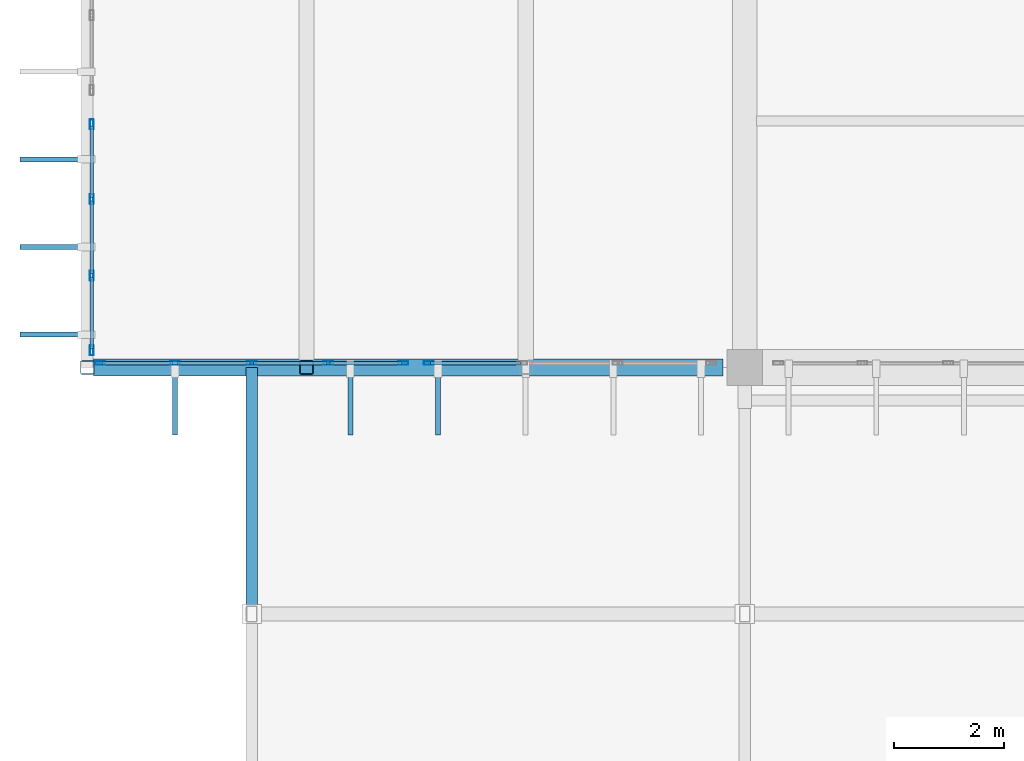
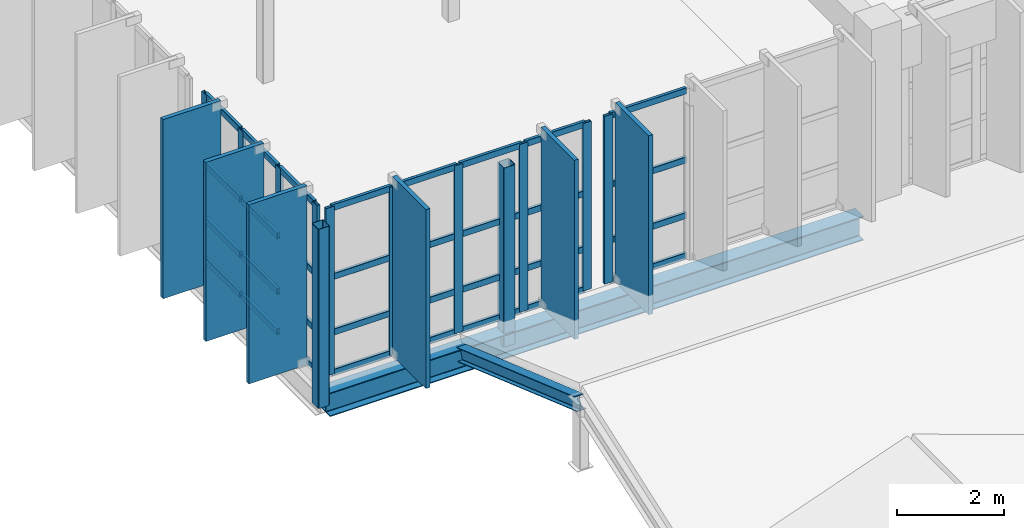
# One storey, part 14 of 80: 51 members, 1 beam, 3 elements without a shape of their own.
"""IFC4 building model written with IfcOpenShell, lengths in metres."""

from ifc_helpers import new_model, si_unit, direction, frame, origin, origin_2d, place, context, subcontext, project, spatial, rectangle, hollow_rectangle, i_section, extrude, material, material_profile, profile_set, type_object, element, aggregate, save


model = new_model("IFC4")

# Units and contexts
model_context = context("Model", 3, precision=1e-05, world=origin(), true_north=direction((0.0, 1.0)))
body_context = subcontext(model_context, "Body", "Model", "MODEL_VIEW")
ifc_project = project(units=[si_unit("LENGTHUNIT", "METRE"), si_unit("AREAUNIT", "SQUARE_METRE"), si_unit("VOLUMEUNIT", "CUBIC_METRE"), si_unit("PLANEANGLEUNIT", "RADIAN"), si_unit("MASSUNIT", "GRAM", prefix="KILO")], contexts=[model_context])

# Site, building, storey
site_placement = place(None, origin())
site = spatial("IfcSite", under=ifc_project, at=site_placement, CompositionType="ELEMENT")
building_placement = place(site_placement, origin())
building = spatial("IfcBuilding", under=site, at=building_placement, Name="Miravela Opera House", CompositionType="ELEMENT")
storey_placement = place(building_placement, frame((0.0, 0.0, 17.679931640625)))
storey = spatial("IfcBuildingStorey", under=building, at=storey_placement, Name="L04", CompositionType="ELEMENT", Elevation=17.679931640625)

# Curtain wall, members
ifc_material_1 = material(Name="Anodised architectural bronze aluminium 6063-T6", Category="aluminium")
curtain_wall_type = type_object("IfcCurtainWallType", Name="ARC-CW-02", PredefinedType="NOTDEFINED", material=ifc_material_1)
curtain_wall_1_placement = place(storey_placement, origin())
curtain_wall_1 = element("IfcCurtainWall", 1, at=curtain_wall_1_placement, inside=storey, type_object=curtain_wall_type, Name="Cantilever West Wrapper Glazing B1 CW-L04-027", PredefinedType="NOTDEFINED")
ifc_material_profile_1 = material_profile(ifc_material_1, hollow_rectangle(XDim=0.06494140625, YDim=0.179931640625, WallThickness=0.00390625, InnerFilletRadius=0.001953125, OuterFilletRadius=0.00390625, at=origin_2d()), Name="CWM-65X180")
ifc_profile_set_1 = profile_set([ifc_material_profile_1])
member_type_1 = type_object("IfcMemberType", Name="ARC-CWM-180", PredefinedType="MULLION", material=ifc_profile_set_1)
member_1_placement = place(storey_placement, frame((15.080078125, 37.3125, 0.0), z_axis=(0.0, 0.0, 1.0), x_axis=(-1.0, 0.0, 0.0)))
member_1 = element("IfcMember", 2, at=member_1_placement, type_object=member_type_1, Name="CW-02 mullion 1", PredefinedType="MULLION", context=body_context, shape_type="SweptSolid", body=[
    extrude(hollow_rectangle(XDim=0.06494140625, YDim=0.179931640625, WallThickness=0.00390625, InnerFilletRadius=0.001953125, OuterFilletRadius=0.00390625, at=origin_2d()), origin(), (0.0, 0.0, 1.0), 3.820068359375),
])
member_2_placement = place(storey_placement, frame((15.080078125, 38.6767578125, 0.0), z_axis=(0.0, 0.0, 1.0), x_axis=(-1.0, 0.0, 0.0)))
member_2 = element("IfcMember", 3, at=member_2_placement, type_object=member_type_1, Name="CW-02 mullion 2", PredefinedType="MULLION", context=body_context, shape_type="SweptSolid", body=[
    extrude(hollow_rectangle(XDim=0.06494140625, YDim=0.179931640625, WallThickness=0.00390625, InnerFilletRadius=0.001953125, OuterFilletRadius=0.00390625, at=origin_2d()), origin(), (0.0, 0.0, 1.0), 3.820068359375),
])
member_3_placement = place(storey_placement, frame((15.080078125, 40.0732421875, 0.0), z_axis=(0.0, 0.0, 1.0), x_axis=(-1.0, 0.0, 0.0)))
member_3 = element("IfcMember", 4, at=member_3_placement, type_object=member_type_1, Name="CW-02 mullion 3", PredefinedType="MULLION", context=body_context, shape_type="SweptSolid", body=[
    extrude(hollow_rectangle(XDim=0.06494140625, YDim=0.179931640625, WallThickness=0.00390625, InnerFilletRadius=0.001953125, OuterFilletRadius=0.00390625, at=origin_2d()), origin(), (0.0, 0.0, 1.0), 3.820068359375),
])
member_4_placement = place(storey_placement, frame((15.080078125, 41.4375, 0.0), z_axis=(0.0, 0.0, 1.0), x_axis=(-1.0, 0.0, 0.0)))
member_4 = element("IfcMember", 5, at=member_4_placement, type_object=member_type_1, Name="CW-02 mullion 4", PredefinedType="MULLION", context=body_context, shape_type="SweptSolid", body=[
    extrude(hollow_rectangle(XDim=0.06494140625, YDim=0.179931640625, WallThickness=0.00390625, InnerFilletRadius=0.001953125, OuterFilletRadius=0.00390625, at=origin_2d()), origin(), (0.0, 0.0, 1.0), 3.820068359375),
])

curtain_wall_2_placement = place(storey_placement, origin())
curtain_wall_2 = element("IfcCurtainWall", 6, at=curtain_wall_2_placement, inside=storey, type_object=curtain_wall_type, Name="Auditorium South Wrapper Glazing CW-L04-036", PredefinedType="NOTDEFINED")
member_5_placement = place(storey_placement, frame((15.232421875, 37.080078125, 0.0), z_axis=(0.0, 0.0, 1.0), x_axis=(0.0, 1.0, 0.0)))
member_5 = element("IfcMember", 7, at=member_5_placement, type_object=member_type_1, Name="CW-02 mullion 1", PredefinedType="MULLION", context=body_context, shape_type="SweptSolid", body=[
    extrude(hollow_rectangle(XDim=0.06494140625, YDim=0.179931640625, WallThickness=0.00390625, InnerFilletRadius=0.001953125, OuterFilletRadius=0.00390625, at=origin_2d()), origin(), (0.0, 0.0, 1.0), 3.820068359375),
])
member_6_placement = place(storey_placement, frame((16.60009765625, 37.080078125, 0.0), z_axis=(0.0, 0.0, 1.0), x_axis=(0.0, 1.0, 0.0)))
member_6 = element("IfcMember", 8, at=member_6_placement, type_object=member_type_1, Name="CW-02 mullion 2", PredefinedType="MULLION", context=body_context, shape_type="SweptSolid", body=[
    extrude(hollow_rectangle(XDim=0.06494140625, YDim=0.179931640625, WallThickness=0.00390625, InnerFilletRadius=0.001953125, OuterFilletRadius=0.00390625, at=origin_2d()), origin(), (0.0, 0.0, 1.0), 3.820068359375),
])
member_7_placement = place(storey_placement, frame((18.0, 37.080078125, 0.0), z_axis=(0.0, 0.0, 1.0), x_axis=(0.0, 1.0, 0.0)))
member_7 = element("IfcMember", 9, at=member_7_placement, type_object=member_type_1, Name="CW-02 mullion 3", PredefinedType="MULLION", context=body_context, shape_type="SweptSolid", body=[
    extrude(hollow_rectangle(XDim=0.06494140625, YDim=0.179931640625, WallThickness=0.00390625, InnerFilletRadius=0.001953125, OuterFilletRadius=0.00390625, at=origin_2d()), origin(), (0.0, 0.0, 1.0), 3.820068359375),
])
member_8_placement = place(storey_placement, frame((19.39990234375, 37.080078125, 0.0), z_axis=(0.0, 0.0, 1.0), x_axis=(0.0, 1.0, 0.0)))
member_8 = element("IfcMember", 10, at=member_8_placement, type_object=member_type_1, Name="CW-02 mullion 4", PredefinedType="MULLION", context=body_context, shape_type="SweptSolid", body=[
    extrude(hollow_rectangle(XDim=0.06494140625, YDim=0.179931640625, WallThickness=0.00390625, InnerFilletRadius=0.001953125, OuterFilletRadius=0.00390625, at=origin_2d()), origin(), (0.0, 0.0, 1.0), 3.820068359375),
])
member_9_placement = place(storey_placement, frame((20.767578125, 37.080078125, 0.0), z_axis=(0.0, 0.0, 1.0), x_axis=(0.0, 1.0, 0.0)))
member_9 = element("IfcMember", 11, at=member_9_placement, type_object=member_type_1, Name="CW-02 mullion 5", PredefinedType="MULLION", context=body_context, shape_type="SweptSolid", body=[
    extrude(hollow_rectangle(XDim=0.06494140625, YDim=0.179931640625, WallThickness=0.00390625, InnerFilletRadius=0.001953125, OuterFilletRadius=0.00390625, at=origin_2d()), origin(), (0.0, 0.0, 1.0), 3.820068359375),
])

# Curtain wall, member
curtain_wall_3_placement = place(storey_placement, origin())
curtain_wall_3 = element("IfcCurtainWall", 12, at=curtain_wall_3_placement, inside=storey, type_object=curtain_wall_type, Name="Auditorium South Wrapper Glazing CW-L04-038", PredefinedType="NOTDEFINED")
member_10_placement = place(storey_placement, frame((21.232421875, 37.080078125, 0.0), z_axis=(0.0, 0.0, 1.0), x_axis=(0.0, 1.0, 0.0)))
member_10 = element("IfcMember", 13, at=member_10_placement, type_object=member_type_1, Name="CW-02 mullion 1", PredefinedType="MULLION", context=body_context, shape_type="SweptSolid", body=[
    extrude(hollow_rectangle(XDim=0.06494140625, YDim=0.179931640625, WallThickness=0.00390625, InnerFilletRadius=0.001953125, OuterFilletRadius=0.00390625, at=origin_2d()), origin(), (0.0, 0.0, 1.0), 3.820068359375),
])

# Member
ifc_material_profile_2 = material_profile(ifc_material_1, hollow_rectangle(XDim=0.06494140625, YDim=0.139892578125, WallThickness=0.00390625, InnerFilletRadius=0.001953125, OuterFilletRadius=0.00390625, at=origin_2d()), Name="CWT-65X140")
ifc_profile_set_2 = profile_set([ifc_material_profile_2])
member_type_2 = type_object("IfcMemberType", Name="ARC-CWT-140", PredefinedType="USERDEFINED", material=ifc_profile_set_2)
member_11_placement = place(storey_placement, frame((15.080078125, 37.344970703125, 0.032470703125), z_axis=(0.0, 1.0, 0.0), x_axis=(-1.0, 0.0, 0.0)))
member_11 = element("IfcMember", 14, at=member_11_placement, type_object=member_type_2, Name="CW-02 transom 1.1", ObjectType="TRANSOM", PredefinedType="USERDEFINED", context=body_context, shape_type="SweptSolid", body=[
    extrude(hollow_rectangle(XDim=0.06494140625, YDim=0.139892578125, WallThickness=0.00390625, InnerFilletRadius=0.001953125, OuterFilletRadius=0.00390625, at=origin_2d()), origin(), (0.0, 0.0, 1.0), 1.29931640625),
])

member_12_placement = place(storey_placement, frame((15.080078125, 37.344970703125, 0.949951171875), z_axis=(0.0, 1.0, 0.0), x_axis=(-1.0, 0.0, 0.0)))
member_12 = element("IfcMember", 15, at=member_12_placement, type_object=member_type_2, Name="CW-02 transom 1.2", ObjectType="TRANSOM", PredefinedType="USERDEFINED", context=body_context, shape_type="SweptSolid", body=[
    extrude(hollow_rectangle(XDim=0.06494140625, YDim=0.139892578125, WallThickness=0.00390625, InnerFilletRadius=0.001953125, OuterFilletRadius=0.00390625, at=origin_2d()), origin(), (0.0, 0.0, 1.0), 1.29931640625),
])

member_13_placement = place(storey_placement, frame((15.080078125, 37.344970703125, 2.215576171875), z_axis=(0.0, 1.0, 0.0), x_axis=(-1.0, 0.0, 0.0)))
member_13 = element("IfcMember", 16, at=member_13_placement, type_object=member_type_2, Name="CW-02 transom 1.3", ObjectType="TRANSOM", PredefinedType="USERDEFINED", context=body_context, shape_type="SweptSolid", body=[
    extrude(hollow_rectangle(XDim=0.06494140625, YDim=0.139892578125, WallThickness=0.00390625, InnerFilletRadius=0.001953125, OuterFilletRadius=0.00390625, at=origin_2d()), origin(), (0.0, 0.0, 1.0), 1.29931640625),
])

member_14_placement = place(storey_placement, frame((15.080078125, 37.344970703125, 3.78759765625), z_axis=(0.0, 1.0, 0.0), x_axis=(-1.0, 0.0, 0.0)))
member_14 = element("IfcMember", 17, at=member_14_placement, type_object=member_type_2, Name="CW-02 transom 1.4", ObjectType="TRANSOM", PredefinedType="USERDEFINED", context=body_context, shape_type="SweptSolid", body=[
    extrude(hollow_rectangle(XDim=0.06494140625, YDim=0.139892578125, WallThickness=0.00390625, InnerFilletRadius=0.001953125, OuterFilletRadius=0.00390625, at=origin_2d()), origin(), (0.0, 0.0, 1.0), 1.29931640625),
])

member_15_placement = place(storey_placement, frame((15.080078125, 38.709228515625, 0.032470703125), z_axis=(0.0, 1.0, 0.0), x_axis=(-1.0, 0.0, 0.0)))
member_15 = element("IfcMember", 18, at=member_15_placement, type_object=member_type_2, Name="CW-02 transom 2.1", ObjectType="TRANSOM", PredefinedType="USERDEFINED", context=body_context, shape_type="SweptSolid", body=[
    extrude(hollow_rectangle(XDim=0.06494140625, YDim=0.139892578125, WallThickness=0.00390625, InnerFilletRadius=0.001953125, OuterFilletRadius=0.00390625, at=origin_2d()), origin(), (0.0, 0.0, 1.0), 1.33154296875),
])

member_16_placement = place(storey_placement, frame((15.080078125, 38.709228515625, 0.949951171875), z_axis=(0.0, 1.0, 0.0), x_axis=(-1.0, 0.0, 0.0)))
member_16 = element("IfcMember", 19, at=member_16_placement, type_object=member_type_2, Name="CW-02 transom 2.2", ObjectType="TRANSOM", PredefinedType="USERDEFINED", context=body_context, shape_type="SweptSolid", body=[
    extrude(hollow_rectangle(XDim=0.06494140625, YDim=0.139892578125, WallThickness=0.00390625, InnerFilletRadius=0.001953125, OuterFilletRadius=0.00390625, at=origin_2d()), origin(), (0.0, 0.0, 1.0), 1.33154296875),
])

member_17_placement = place(storey_placement, frame((15.080078125, 38.709228515625, 2.215576171875), z_axis=(0.0, 1.0, 0.0), x_axis=(-1.0, 0.0, 0.0)))
member_17 = element("IfcMember", 20, at=member_17_placement, type_object=member_type_2, Name="CW-02 transom 2.3", ObjectType="TRANSOM", PredefinedType="USERDEFINED", context=body_context, shape_type="SweptSolid", body=[
    extrude(hollow_rectangle(XDim=0.06494140625, YDim=0.139892578125, WallThickness=0.00390625, InnerFilletRadius=0.001953125, OuterFilletRadius=0.00390625, at=origin_2d()), origin(), (0.0, 0.0, 1.0), 1.33154296875),
])

member_18_placement = place(storey_placement, frame((15.080078125, 38.709228515625, 3.78759765625), z_axis=(0.0, 1.0, 0.0), x_axis=(-1.0, 0.0, 0.0)))
member_18 = element("IfcMember", 21, at=member_18_placement, type_object=member_type_2, Name="CW-02 transom 2.4", ObjectType="TRANSOM", PredefinedType="USERDEFINED", context=body_context, shape_type="SweptSolid", body=[
    extrude(hollow_rectangle(XDim=0.06494140625, YDim=0.139892578125, WallThickness=0.00390625, InnerFilletRadius=0.001953125, OuterFilletRadius=0.00390625, at=origin_2d()), origin(), (0.0, 0.0, 1.0), 1.33154296875),
])

member_19_placement = place(storey_placement, frame((15.080078125, 40.105712890625, 0.032470703125), z_axis=(0.0, 1.0, 0.0), x_axis=(-1.0, 0.0, 0.0)))
member_19 = element("IfcMember", 22, at=member_19_placement, type_object=member_type_2, Name="CW-02 transom 3.1", ObjectType="TRANSOM", PredefinedType="USERDEFINED", context=body_context, shape_type="SweptSolid", body=[
    extrude(hollow_rectangle(XDim=0.06494140625, YDim=0.139892578125, WallThickness=0.00390625, InnerFilletRadius=0.001953125, OuterFilletRadius=0.00390625, at=origin_2d()), origin(), (0.0, 0.0, 1.0), 1.29931640625),
])

member_20_placement = place(storey_placement, frame((15.080078125, 40.105712890625, 0.949951171875), z_axis=(0.0, 1.0, 0.0), x_axis=(-1.0, 0.0, 0.0)))
member_20 = element("IfcMember", 23, at=member_20_placement, type_object=member_type_2, Name="CW-02 transom 3.2", ObjectType="TRANSOM", PredefinedType="USERDEFINED", context=body_context, shape_type="SweptSolid", body=[
    extrude(hollow_rectangle(XDim=0.06494140625, YDim=0.139892578125, WallThickness=0.00390625, InnerFilletRadius=0.001953125, OuterFilletRadius=0.00390625, at=origin_2d()), origin(), (0.0, 0.0, 1.0), 1.29931640625),
])

member_21_placement = place(storey_placement, frame((15.080078125, 40.105712890625, 2.215576171875), z_axis=(0.0, 1.0, 0.0), x_axis=(-1.0, 0.0, 0.0)))
member_21 = element("IfcMember", 24, at=member_21_placement, type_object=member_type_2, Name="CW-02 transom 3.3", ObjectType="TRANSOM", PredefinedType="USERDEFINED", context=body_context, shape_type="SweptSolid", body=[
    extrude(hollow_rectangle(XDim=0.06494140625, YDim=0.139892578125, WallThickness=0.00390625, InnerFilletRadius=0.001953125, OuterFilletRadius=0.00390625, at=origin_2d()), origin(), (0.0, 0.0, 1.0), 1.29931640625),
])

member_22_placement = place(storey_placement, frame((15.080078125, 40.105712890625, 3.78759765625), z_axis=(0.0, 1.0, 0.0), x_axis=(-1.0, 0.0, 0.0)))
member_22 = element("IfcMember", 25, at=member_22_placement, type_object=member_type_2, Name="CW-02 transom 3.4", ObjectType="TRANSOM", PredefinedType="USERDEFINED", context=body_context, shape_type="SweptSolid", body=[
    extrude(hollow_rectangle(XDim=0.06494140625, YDim=0.139892578125, WallThickness=0.00390625, InnerFilletRadius=0.001953125, OuterFilletRadius=0.00390625, at=origin_2d()), origin(), (0.0, 0.0, 1.0), 1.29931640625),
])

aggregate(curtain_wall_1, [member_1, member_2, member_3, member_4, member_11, member_12, member_13, member_14, member_15, member_16, member_17, member_18, member_19, member_20, member_21, member_22])

member_23_placement = place(storey_placement, frame((15.264892578125, 37.080078125, 0.032470703125), z_axis=(1.0, 0.0, 0.0), x_axis=(0.0, 1.0, 0.0)))
member_23 = element("IfcMember", 26, at=member_23_placement, type_object=member_type_2, Name="CW-02 transom 1.1", ObjectType="TRANSOM", PredefinedType="USERDEFINED", context=body_context, shape_type="SweptSolid", body=[
    extrude(hollow_rectangle(XDim=0.06494140625, YDim=0.139892578125, WallThickness=0.00390625, InnerFilletRadius=0.001953125, OuterFilletRadius=0.00390625, at=origin_2d()), origin(), (0.0, 0.0, 1.0), 1.302490234375),
])

member_24_placement = place(storey_placement, frame((15.264892578125, 37.080078125, 0.949951171875), z_axis=(1.0, 0.0, 0.0), x_axis=(0.0, 1.0, 0.0)))
member_24 = element("IfcMember", 27, at=member_24_placement, type_object=member_type_2, Name="CW-02 transom 1.2", ObjectType="TRANSOM", PredefinedType="USERDEFINED", context=body_context, shape_type="SweptSolid", body=[
    extrude(hollow_rectangle(XDim=0.06494140625, YDim=0.139892578125, WallThickness=0.00390625, InnerFilletRadius=0.001953125, OuterFilletRadius=0.00390625, at=origin_2d()), origin(), (0.0, 0.0, 1.0), 1.302490234375),
])

member_25_placement = place(storey_placement, frame((15.264892578125, 37.080078125, 2.215576171875), z_axis=(1.0, 0.0, 0.0), x_axis=(0.0, 1.0, 0.0)))
member_25 = element("IfcMember", 28, at=member_25_placement, type_object=member_type_2, Name="CW-02 transom 1.3", ObjectType="TRANSOM", PredefinedType="USERDEFINED", context=body_context, shape_type="SweptSolid", body=[
    extrude(hollow_rectangle(XDim=0.06494140625, YDim=0.139892578125, WallThickness=0.00390625, InnerFilletRadius=0.001953125, OuterFilletRadius=0.00390625, at=origin_2d()), origin(), (0.0, 0.0, 1.0), 1.302490234375),
])

member_26_placement = place(storey_placement, frame((15.264892578125, 37.080078125, 3.78759765625), z_axis=(1.0, 0.0, 0.0), x_axis=(0.0, 1.0, 0.0)))
member_26 = element("IfcMember", 29, at=member_26_placement, type_object=member_type_2, Name="CW-02 transom 1.4", ObjectType="TRANSOM", PredefinedType="USERDEFINED", context=body_context, shape_type="SweptSolid", body=[
    extrude(hollow_rectangle(XDim=0.06494140625, YDim=0.139892578125, WallThickness=0.00390625, InnerFilletRadius=0.001953125, OuterFilletRadius=0.00390625, at=origin_2d()), origin(), (0.0, 0.0, 1.0), 1.302490234375),
])

member_27_placement = place(storey_placement, frame((16.632568359375, 37.080078125, 0.032470703125), z_axis=(1.0, 0.0, 0.0), x_axis=(0.0, 1.0, 0.0)))
member_27 = element("IfcMember", 30, at=member_27_placement, type_object=member_type_2, Name="CW-02 transom 2.1", ObjectType="TRANSOM", PredefinedType="USERDEFINED", context=body_context, shape_type="SweptSolid", body=[
    extrude(hollow_rectangle(XDim=0.06494140625, YDim=0.139892578125, WallThickness=0.00390625, InnerFilletRadius=0.001953125, OuterFilletRadius=0.00390625, at=origin_2d()), origin(), (0.0, 0.0, 1.0), 1.3349609375),
])

member_28_placement = place(storey_placement, frame((16.632568359375, 37.080078125, 0.949951171875), z_axis=(1.0, 0.0, 0.0), x_axis=(0.0, 1.0, 0.0)))
member_28 = element("IfcMember", 31, at=member_28_placement, type_object=member_type_2, Name="CW-02 transom 2.2", ObjectType="TRANSOM", PredefinedType="USERDEFINED", context=body_context, shape_type="SweptSolid", body=[
    extrude(hollow_rectangle(XDim=0.06494140625, YDim=0.139892578125, WallThickness=0.00390625, InnerFilletRadius=0.001953125, OuterFilletRadius=0.00390625, at=origin_2d()), origin(), (0.0, 0.0, 1.0), 1.3349609375),
])

member_29_placement = place(storey_placement, frame((16.632568359375, 37.080078125, 2.215576171875), z_axis=(1.0, 0.0, 0.0), x_axis=(0.0, 1.0, 0.0)))
member_29 = element("IfcMember", 32, at=member_29_placement, type_object=member_type_2, Name="CW-02 transom 2.3", ObjectType="TRANSOM", PredefinedType="USERDEFINED", context=body_context, shape_type="SweptSolid", body=[
    extrude(hollow_rectangle(XDim=0.06494140625, YDim=0.139892578125, WallThickness=0.00390625, InnerFilletRadius=0.001953125, OuterFilletRadius=0.00390625, at=origin_2d()), origin(), (0.0, 0.0, 1.0), 1.3349609375),
])

member_30_placement = place(storey_placement, frame((16.632568359375, 37.080078125, 3.78759765625), z_axis=(1.0, 0.0, 0.0), x_axis=(0.0, 1.0, 0.0)))
member_30 = element("IfcMember", 33, at=member_30_placement, type_object=member_type_2, Name="CW-02 transom 2.4", ObjectType="TRANSOM", PredefinedType="USERDEFINED", context=body_context, shape_type="SweptSolid", body=[
    extrude(hollow_rectangle(XDim=0.06494140625, YDim=0.139892578125, WallThickness=0.00390625, InnerFilletRadius=0.001953125, OuterFilletRadius=0.00390625, at=origin_2d()), origin(), (0.0, 0.0, 1.0), 1.3349609375),
])

member_31_placement = place(storey_placement, frame((18.032470703125, 37.080078125, 0.032470703125), z_axis=(1.0, 0.0, 0.0), x_axis=(0.0, 1.0, 0.0)))
member_31 = element("IfcMember", 34, at=member_31_placement, type_object=member_type_2, Name="CW-02 transom 3.1", ObjectType="TRANSOM", PredefinedType="USERDEFINED", context=body_context, shape_type="SweptSolid", body=[
    extrude(hollow_rectangle(XDim=0.06494140625, YDim=0.139892578125, WallThickness=0.00390625, InnerFilletRadius=0.001953125, OuterFilletRadius=0.00390625, at=origin_2d()), origin(), (0.0, 0.0, 1.0), 1.3349609375),
])

member_32_placement = place(storey_placement, frame((18.032470703125, 37.080078125, 0.949951171875), z_axis=(1.0, 0.0, 0.0), x_axis=(0.0, 1.0, 0.0)))
member_32 = element("IfcMember", 35, at=member_32_placement, type_object=member_type_2, Name="CW-02 transom 3.2", ObjectType="TRANSOM", PredefinedType="USERDEFINED", context=body_context, shape_type="SweptSolid", body=[
    extrude(hollow_rectangle(XDim=0.06494140625, YDim=0.139892578125, WallThickness=0.00390625, InnerFilletRadius=0.001953125, OuterFilletRadius=0.00390625, at=origin_2d()), origin(), (0.0, 0.0, 1.0), 1.3349609375),
])

member_33_placement = place(storey_placement, frame((18.032470703125, 37.080078125, 2.215576171875), z_axis=(1.0, 0.0, 0.0), x_axis=(0.0, 1.0, 0.0)))
member_33 = element("IfcMember", 36, at=member_33_placement, type_object=member_type_2, Name="CW-02 transom 3.3", ObjectType="TRANSOM", PredefinedType="USERDEFINED", context=body_context, shape_type="SweptSolid", body=[
    extrude(hollow_rectangle(XDim=0.06494140625, YDim=0.139892578125, WallThickness=0.00390625, InnerFilletRadius=0.001953125, OuterFilletRadius=0.00390625, at=origin_2d()), origin(), (0.0, 0.0, 1.0), 1.3349609375),
])

member_34_placement = place(storey_placement, frame((18.032470703125, 37.080078125, 3.78759765625), z_axis=(1.0, 0.0, 0.0), x_axis=(0.0, 1.0, 0.0)))
member_34 = element("IfcMember", 37, at=member_34_placement, type_object=member_type_2, Name="CW-02 transom 3.4", ObjectType="TRANSOM", PredefinedType="USERDEFINED", context=body_context, shape_type="SweptSolid", body=[
    extrude(hollow_rectangle(XDim=0.06494140625, YDim=0.139892578125, WallThickness=0.00390625, InnerFilletRadius=0.001953125, OuterFilletRadius=0.00390625, at=origin_2d()), origin(), (0.0, 0.0, 1.0), 1.3349609375),
])

member_35_placement = place(storey_placement, frame((19.4326171875, 37.080078125, 0.032470703125), z_axis=(1.0, 0.0, 0.0), x_axis=(0.0, 1.0, 0.0)))
member_35 = element("IfcMember", 38, at=member_35_placement, type_object=member_type_2, Name="CW-02 transom 4.1", ObjectType="TRANSOM", PredefinedType="USERDEFINED", context=body_context, shape_type="SweptSolid", body=[
    extrude(hollow_rectangle(XDim=0.06494140625, YDim=0.139892578125, WallThickness=0.00390625, InnerFilletRadius=0.001953125, OuterFilletRadius=0.00390625, at=origin_2d()), origin(), (0.0, 0.0, 1.0), 1.302490234375),
])

member_36_placement = place(storey_placement, frame((19.4326171875, 37.080078125, 0.949951171875), z_axis=(1.0, 0.0, 0.0), x_axis=(0.0, 1.0, 0.0)))
member_36 = element("IfcMember", 39, at=member_36_placement, type_object=member_type_2, Name="CW-02 transom 4.2", ObjectType="TRANSOM", PredefinedType="USERDEFINED", context=body_context, shape_type="SweptSolid", body=[
    extrude(hollow_rectangle(XDim=0.06494140625, YDim=0.139892578125, WallThickness=0.00390625, InnerFilletRadius=0.001953125, OuterFilletRadius=0.00390625, at=origin_2d()), origin(), (0.0, 0.0, 1.0), 1.302490234375),
])

member_37_placement = place(storey_placement, frame((19.4326171875, 37.080078125, 2.215576171875), z_axis=(1.0, 0.0, 0.0), x_axis=(0.0, 1.0, 0.0)))
member_37 = element("IfcMember", 40, at=member_37_placement, type_object=member_type_2, Name="CW-02 transom 4.3", ObjectType="TRANSOM", PredefinedType="USERDEFINED", context=body_context, shape_type="SweptSolid", body=[
    extrude(hollow_rectangle(XDim=0.06494140625, YDim=0.139892578125, WallThickness=0.00390625, InnerFilletRadius=0.001953125, OuterFilletRadius=0.00390625, at=origin_2d()), origin(), (0.0, 0.0, 1.0), 1.302490234375),
])

member_38_placement = place(storey_placement, frame((19.4326171875, 37.080078125, 3.78759765625), z_axis=(1.0, 0.0, 0.0), x_axis=(0.0, 1.0, 0.0)))
member_38 = element("IfcMember", 41, at=member_38_placement, type_object=member_type_2, Name="CW-02 transom 4.4", ObjectType="TRANSOM", PredefinedType="USERDEFINED", context=body_context, shape_type="SweptSolid", body=[
    extrude(hollow_rectangle(XDim=0.06494140625, YDim=0.139892578125, WallThickness=0.00390625, InnerFilletRadius=0.001953125, OuterFilletRadius=0.00390625, at=origin_2d()), origin(), (0.0, 0.0, 1.0), 1.302490234375),
])

aggregate(curtain_wall_2, [member_5, member_6, member_7, member_8, member_9, member_23, member_24, member_25, member_26, member_27, member_28, member_29, member_30, member_31, member_32, member_33, member_34, member_35, member_36, member_37, member_38])

member_39_placement = place(storey_placement, frame((21.264892578125, 37.080078125, 0.032470703125), z_axis=(1.0, 0.0, 0.0), x_axis=(0.0, 1.0, 0.0)))
member_39 = element("IfcMember", 42, at=member_39_placement, type_object=member_type_2, Name="CW-02 transom 1.1", ObjectType="TRANSOM", PredefinedType="USERDEFINED", context=body_context, shape_type="SweptSolid", body=[
    extrude(hollow_rectangle(XDim=0.06494140625, YDim=0.139892578125, WallThickness=0.00390625, InnerFilletRadius=0.001953125, OuterFilletRadius=0.00390625, at=origin_2d()), origin(), (0.0, 0.0, 1.0), 1.642578125),
])

member_40_placement = place(storey_placement, frame((21.264892578125, 37.080078125, 0.949951171875), z_axis=(1.0, 0.0, 0.0), x_axis=(0.0, 1.0, 0.0)))
member_40 = element("IfcMember", 43, at=member_40_placement, type_object=member_type_2, Name="CW-02 transom 1.2", ObjectType="TRANSOM", PredefinedType="USERDEFINED", context=body_context, shape_type="SweptSolid", body=[
    extrude(hollow_rectangle(XDim=0.06494140625, YDim=0.139892578125, WallThickness=0.00390625, InnerFilletRadius=0.001953125, OuterFilletRadius=0.00390625, at=origin_2d()), origin(), (0.0, 0.0, 1.0), 1.642578125),
])

member_41_placement = place(storey_placement, frame((21.264892578125, 37.080078125, 2.215576171875), z_axis=(1.0, 0.0, 0.0), x_axis=(0.0, 1.0, 0.0)))
member_41 = element("IfcMember", 44, at=member_41_placement, type_object=member_type_2, Name="CW-02 transom 1.3", ObjectType="TRANSOM", PredefinedType="USERDEFINED", context=body_context, shape_type="SweptSolid", body=[
    extrude(hollow_rectangle(XDim=0.06494140625, YDim=0.139892578125, WallThickness=0.00390625, InnerFilletRadius=0.001953125, OuterFilletRadius=0.00390625, at=origin_2d()), origin(), (0.0, 0.0, 1.0), 1.642578125),
])

member_42_placement = place(storey_placement, frame((21.264892578125, 37.080078125, 3.78759765625), z_axis=(1.0, 0.0, 0.0), x_axis=(0.0, 1.0, 0.0)))
member_42 = element("IfcMember", 45, at=member_42_placement, type_object=member_type_2, Name="CW-02 transom 1.4", ObjectType="TRANSOM", PredefinedType="USERDEFINED", context=body_context, shape_type="SweptSolid", body=[
    extrude(hollow_rectangle(XDim=0.06494140625, YDim=0.139892578125, WallThickness=0.00390625, InnerFilletRadius=0.001953125, OuterFilletRadius=0.00390625, at=origin_2d()), origin(), (0.0, 0.0, 1.0), 1.642578125),
])

aggregate(curtain_wall_3, [member_10, member_39, member_40, member_41, member_42])

# Members
ifc_material_profile_3 = material_profile(ifc_material_1, rectangle(XDim=0.090087890625, YDim=1.25, at=origin_2d()), Name="FIN-1250X90")
ifc_profile_set_3 = profile_set([ifc_material_profile_3])
member_type_3 = type_object("IfcMemberType", Name="ARC-FIN-1250", PredefinedType="USERDEFINED", material=ifc_profile_set_3)
for number, where, z_axis, x_axis, name in (
    (46, (14.39501953125, 37.60009765625, 0.0), (0.0, 0.0, 1.0), (0.0, 1.0, 0.0), "Auditorium Wrapper Bronze Solar Fin FIN-L04-WEST-0073"),
    (47, (14.39501953125, 39.199951171875, 0.0), (0.0, 0.0, 1.0), (0.0, 1.0, 0.0), "Auditorium Wrapper Bronze Solar Fin FIN-L04-WEST-0074"),
    (48, (14.39501953125, 40.800048828125, 0.0), (0.0, 0.0, 1.0), (0.0, 1.0, 0.0), "Auditorium Wrapper Bronze Solar Fin FIN-L04-WEST-0075"),
    (49, (16.60009765625, 36.39501953125, 0.0), (0.0, 0.0, 1.0), (1.0, 0.0, 0.0), "Auditorium Wrapper Bronze Solar Fin FIN-L04-SOUTH-0098"),
    (50, (19.800048828125, 36.39501953125, 0.0), (0.0, 0.0, 1.0), (1.0, 0.0, 0.0), "Auditorium Wrapper Bronze Solar Fin FIN-L04-SOUTH-0100"),
    (51, (21.39990234375, 36.39501953125, 0.0), (0.0, 0.0, 1.0), (1.0, 0.0, 0.0), "Auditorium Wrapper Bronze Solar Fin FIN-L04-SOUTH-0102"),
):
    element("IfcMember", number, at=place(storey_placement, frame(where, z_axis=z_axis, x_axis=x_axis)), inside=storey, type_object=member_type_3, Name=name, ObjectType="FIN", PredefinedType="USERDEFINED", context=body_context, shape_type="SweptSolid", body=[
        extrude(rectangle(XDim=0.090087890625, YDim=1.25, at=origin_2d()), origin(), (0.0, 0.0, 1.0), 4.080078125),
    ])

# Beam
ifc_material_2 = material(Name="Structural steel ASTM A992 Gr. 50", Category="steel")
ifc_material_profile_4 = material_profile(ifc_material_2, i_section(OverallWidth=0.31201171875, OverallDepth=0.54296875, WebThickness=0.0126953125, FlangeThickness=0.020263671875, FilletRadius=0.01611328125, at=origin_2d()), Name="W530X150")
ifc_profile_set_4 = profile_set([ifc_material_profile_4])
beam_type = type_object("IfcBeamType", Name="STR-BM-W530X150", PredefinedType="BEAM", material=ifc_profile_set_4)
beam_placement = place(storey_placement, frame((15.110107421875, 37.0, -0.511474609375), z_axis=(1.0, 0.0, 0.0), x_axis=(0.0, 1.0, 0.0)))
element("IfcBeam", 52, at=beam_placement, inside=storey, type_object=beam_type, Name="Cantilever Chord L04 T1", PredefinedType="BEAM", context=body_context, shape_type="SweptSolid", body=[
    extrude(i_section(OverallWidth=0.31201171875, OverallDepth=0.54296875, WebThickness=0.0126953125, FlangeThickness=0.020263671875, FilletRadius=0.01611328125, at=origin_2d()), origin(), (0.0, 0.0, 1.0), 11.489990234375),
])

# Members
ifc_material_3 = material(Name="Hollow structural steel ASTM A500 Gr. C", Category="steel")
ifc_material_profile_5 = material_profile(ifc_material_3, hollow_rectangle(XDim=0.25, YDim=0.25, WallThickness=0.011962890625, InnerFilletRadius=0.011962890625, OuterFilletRadius=0.02392578125, at=origin_2d()), Name="HSS250X250X12")
ifc_profile_set_5 = profile_set([ifc_material_profile_5])
member_type_4 = type_object("IfcMemberType", Name="STR-MEM-CANT-POST2", PredefinedType="POST", material=ifc_profile_set_5)
for number, where, z_axis, x_axis, name in (
    (53, (15.0, 37.0, -0.5400390625), (0.0, 0.0, 1.0), (1.0, 0.0, 0.0), "Upper Wrapper Truss Post L04 X=15.0"),
    (54, (19.0, 37.0, -0.5400390625), (0.0, 0.0, 1.0), (1.0, 0.0, 0.0), "Upper Wrapper Truss Post L04 X=19.0"),
):
    element("IfcMember", number, at=place(storey_placement, frame(where, z_axis=z_axis, x_axis=x_axis)), inside=storey, type_object=member_type_4, Name=name, PredefinedType="POST", context=body_context, shape_type="SweptSolid", body=[
        extrude(hollow_rectangle(XDim=0.25, YDim=0.25, WallThickness=0.011962890625, InnerFilletRadius=0.011962890625, OuterFilletRadius=0.02392578125, at=origin_2d()), origin(), (0.0, 0.0, 1.0), 4.080078125),
    ])
ifc_material_profile_6 = material_profile(ifc_material_2, i_section(OverallWidth=0.202880859375, OverallDepth=0.302978515625, WebThickness=0.007568359375, FlangeThickness=0.01318359375, FilletRadius=0.012939453125, at=origin_2d()), Name="W310X60")
ifc_profile_set_6 = profile_set([ifc_material_profile_6])
member_type_5 = type_object("IfcMemberType", Name="STR-MEM-RAFTER-2", PredefinedType="RAFTER", material=ifc_profile_set_6)
member_43_placement = place(storey_placement, frame((18.0, 36.949951171875, -0.39990234375), z_axis=(0.0, -0.943687918104, 0.3308369889), x_axis=(1.0, 0.0, 0.0)))
element("IfcMember", 55, at=member_43_placement, inside=storey, type_object=member_type_5, Name="Pitched Roof Rafter ROOF-V4-WEST-N N0", PredefinedType="RAFTER", context=body_context, shape_type="SweptSolid", body=[
    extrude(i_section(OverallWidth=0.202880859375, OverallDepth=0.302978515625, WebThickness=0.007568359375, FlangeThickness=0.01318359375, FilletRadius=0.012939453125, at=origin_2d()), origin(), (0.0, 0.0, 1.0), 4.715576171875),
])

save(model, "model.ifc")
